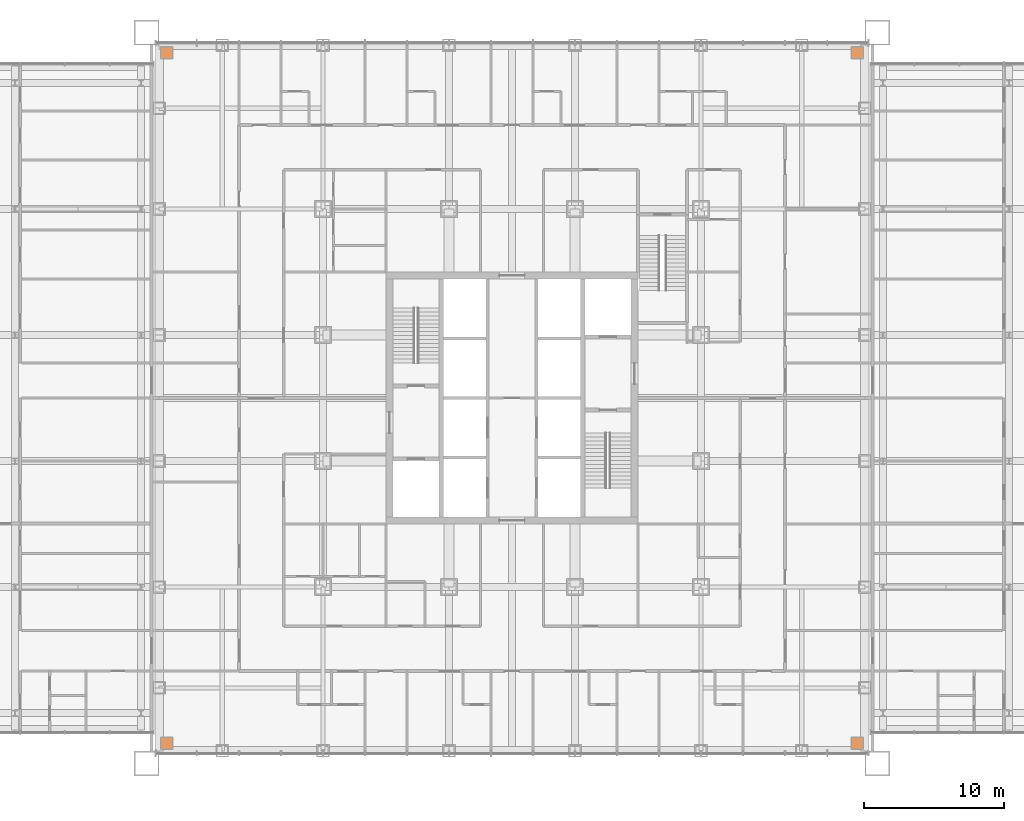
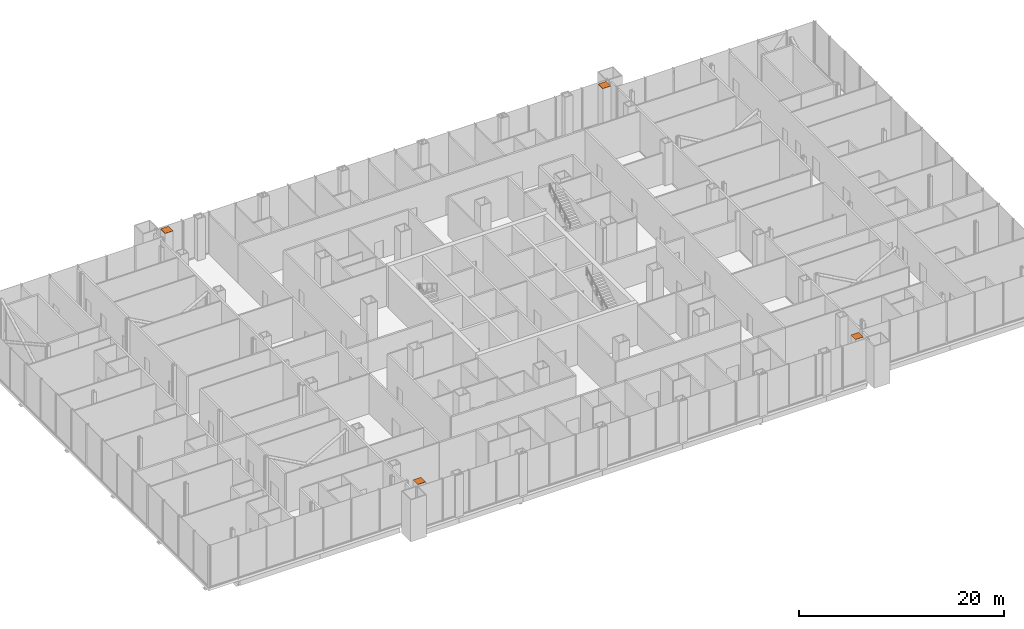
# One storey, part 28 of 28: 4 proxies.
"""IFC4 building model written with IfcOpenShell, lengths in metres."""

from ifc_helpers import new_model, si_unit, direction, frame, origin, origin_2d, place, context, subcontext, project, spatial, rectangle, extrude, material, layer, layer_set, type_object, element, save


model = new_model("IFC4")

# Units and contexts
model_context = context("Model", 3, precision=1e-05, world=origin(), true_north=direction((0.0, 1.0)))
body_context = subcontext(model_context, "Body", "Model", "MODEL_VIEW")
ifc_project = project(units=[si_unit("LENGTHUNIT", "METRE"), si_unit("AREAUNIT", "SQUARE_METRE"), si_unit("VOLUMEUNIT", "CUBIC_METRE"), si_unit("PLANEANGLEUNIT", "RADIAN"), si_unit("MASSUNIT", "GRAM", prefix="KILO")], contexts=[model_context])

# Site, building, storey
site_placement = place(None, origin())
site = spatial("IfcSite", under=ifc_project, at=site_placement, CompositionType="ELEMENT")
building_placement = place(site_placement, origin())
building = spatial("IfcBuilding", under=site, at=building_placement, Name="Malebo Sky Hospital", CompositionType="ELEMENT")
storey_placement = place(building_placement, frame((0.0, 0.0, 21.0)))
storey = spatial("IfcBuildingStorey", under=building, at=storey_placement, Name="L04", CompositionType="ELEMENT", Elevation=21.0)

# Proxies
ifc_material = material(Name="Steel S355", Category="steel")
ifc_layer = layer(ifc_material, 0.030029296875)
ifc_layer_set = layer_set([ifc_layer], Name="COLUMN CAP PLATE 900x900x30")
building_element_proxy_type = type_object("IfcBuildingElementProxyType", Name="COLUMN CAP PLATE 900x900x30", PredefinedType="USERDEFINED", material=ifc_layer_set)
for number, where, name in (
    (1, (84.64990234375, 86.64990234375, -21.0), "Column cap plate PC8 L04"),
    (2, (35.35009765625, 86.64990234375, -21.0), "Column cap plate PC8 L04"),
    (3, (84.64990234375, 37.35009765625, -21.0), "Column cap plate PC8 L04"),
    (4, (35.35009765625, 37.35009765625, -21.0), "Column cap plate PC8 L04"),
):
    element("IfcBuildingElementProxy", number, at=place(storey_placement, frame(where)), inside=storey, type_object=building_element_proxy_type, Name=name, ObjectType="COLUMN CAP PLATE", PredefinedType="USERDEFINED", context=body_context, shape_type="SweptSolid", body=[
        extrude(rectangle(XDim=0.89990234375, YDim=0.89990234375, at=origin_2d()), frame((0.0, 0.0, 26.0)), (0.0, 0.0, 1.0), 0.030029296875),
    ])

save(model, "model.ifc")
